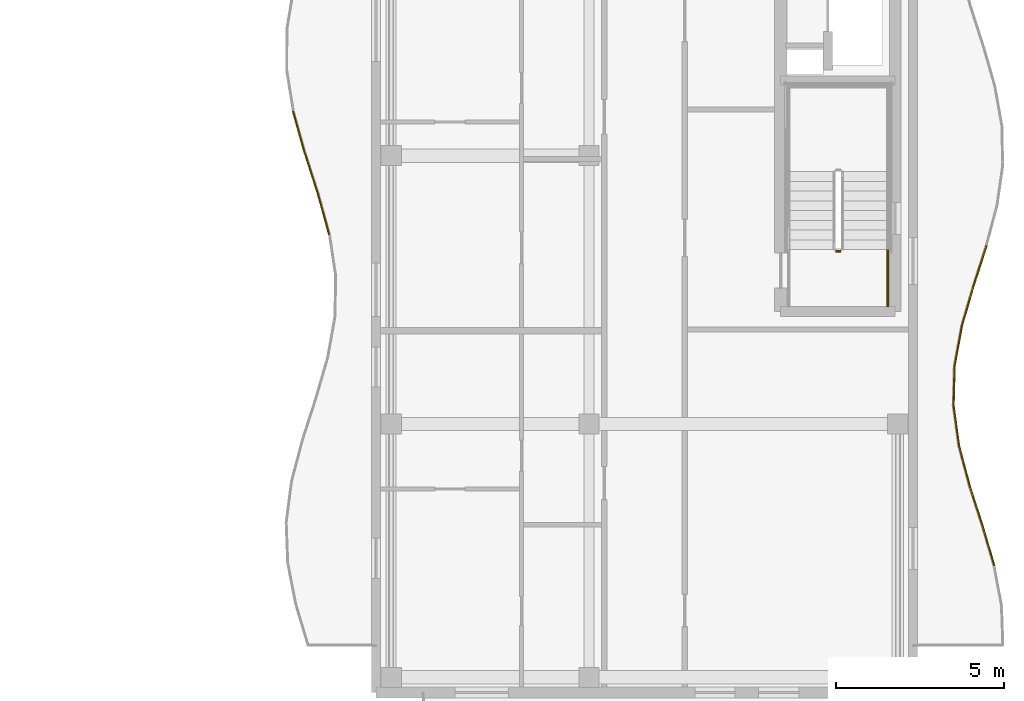
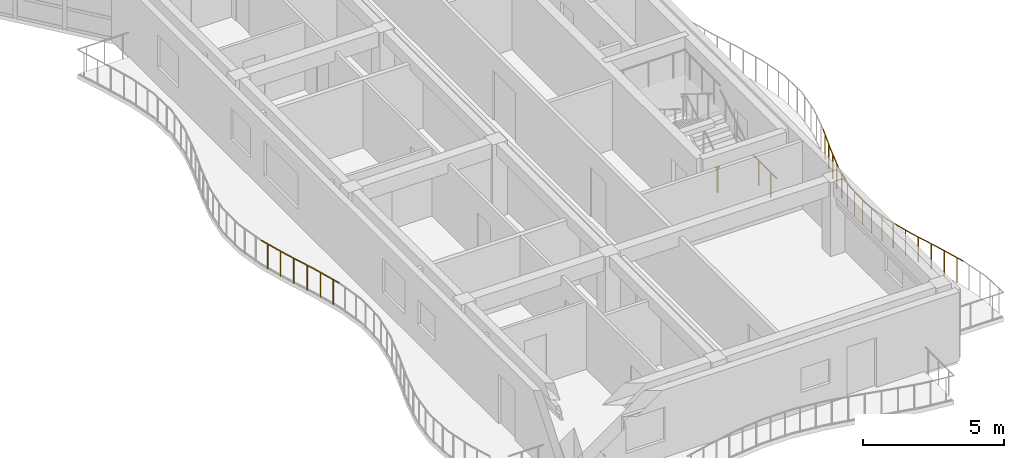
# One storey, part 67 of 72: 13 railings.
"""IFC4 building model written with IfcOpenShell, lengths in metres."""

from ifc_helpers import new_model, si_unit, direction, frame, origin, origin_2d, place, context, subcontext, project, spatial, circle, extrude, material, type_object, element, save


model = new_model("IFC4")

# Units and contexts
model_context = context("Model", 3, precision=1e-05, world=origin(), true_north=direction((0.0, 1.0)))
body_context = subcontext(model_context, "Body", "Model", "MODEL_VIEW")
ifc_project = project(units=[si_unit("LENGTHUNIT", "METRE"), si_unit("AREAUNIT", "SQUARE_METRE"), si_unit("VOLUMEUNIT", "CUBIC_METRE"), si_unit("PLANEANGLEUNIT", "RADIAN"), si_unit("MASSUNIT", "GRAM", prefix="KILO")], contexts=[model_context])

# Site, building, storey
site_placement = place(None, origin())
site = spatial("IfcSite", under=ifc_project, at=site_placement, CompositionType="ELEMENT")
building_placement = place(site_placement, origin())
building = spatial("IfcBuilding", under=site, at=building_placement, Name="Keldmere Railside Commons", CompositionType="ELEMENT")
storey_placement = place(building_placement, frame((0.0, 0.0, 16.9599609375)))
storey = spatial("IfcBuildingStorey", under=building, at=storey_placement, Name="L05", CompositionType="ELEMENT", Elevation=16.9599609375)

# Railings
ifc_material = material(Name="Steel F-24 (S235)", Category="steel")
railing_type_1 = type_object("IfcRailingType", Name="Balcony & Terrace Steel Balustrade 1100", PredefinedType="BALUSTRADE", material=ifc_material)
railing_1_placement = place(storey_placement, frame((166.59912109375, 69.64990234375, 0.0)))
element("IfcRailing", 1, at=railing_1_placement, inside=storey, type_object=railing_type_1, Name="GR-1 GRD-L05-3730", PredefinedType="BALUSTRADE", context=body_context, shape_type="SweptSolid", body=[
    extrude(circle(Radius=0.02392578125, at=origin_2d()), frame((0.0, 0.0, 1.076171875), z_axis=(-0.265165414973, 0.964202936473, 0.0), x_axis=(-0.964202936473, -0.265165414973, 0.0)), (0.0, 0.0, 1.0), 1.2705078125),
    extrude(circle(Radius=0.02099609375, at=origin_2d()), frame((-0.084228515625, 0.30615234375, 0.0)), (0.0, 0.0, 1.0), 1.048095703125),
    extrude(circle(Radius=0.02099609375, at=origin_2d()), frame((-0.252685546875, 0.9189453125, 0.0)), (0.0, 0.0, 1.0), 1.048095703125),
])
railing_2_placement = place(storey_placement, frame((166.26220703125, 70.875, 0.0)))
element("IfcRailing", 2, at=railing_2_placement, inside=storey, type_object=railing_type_1, Name="GR-1 GRD-L05-3731", PredefinedType="BALUSTRADE", context=body_context, shape_type="SweptSolid", body=[
    extrude(circle(Radius=0.02392578125, at=origin_2d()), frame((0.0, 0.0, 1.076171875), z_axis=(-0.307567840436, 0.951526154937, 0.0), x_axis=(-0.951526154937, -0.307567840436, 0.0)), (0.0, 0.0, 1.0), 1.28759765625),
    extrude(circle(Radius=0.02099609375, at=origin_2d()), frame((-0.09912109375, 0.30615234375, 0.0)), (0.0, 0.0, 1.0), 1.048095703125),
    extrude(circle(Radius=0.02099609375, at=origin_2d()), frame((-0.296875, 0.9189453125, 0.0)), (0.0, 0.0, 1.0), 1.048095703125),
])
railing_3_placement = place(storey_placement, frame((165.8662109375, 72.10009765625, 0.0)))
element("IfcRailing", 3, at=railing_3_placement, inside=storey, type_object=railing_type_1, Name="GR-1 GRD-L05-3732", PredefinedType="BALUSTRADE", context=body_context, shape_type="SweptSolid", body=[
    extrude(circle(Radius=0.02392578125, at=origin_2d()), frame((0.0, 0.0, 1.076171875), z_axis=(-0.270917819823, 0.962602480208, 0.0), x_axis=(-0.962602480208, -0.270917819823, 0.0)), (0.0, 0.0, 1.0), 1.2724609375),
    extrude(circle(Radius=0.02099609375, at=origin_2d()), frame((-0.086181640625, 0.30615234375, 0.0)), (0.0, 0.0, 1.0), 1.048095703125),
    extrude(circle(Radius=0.02099609375, at=origin_2d()), frame((-0.258544921875, 0.918701171875, 0.0)), (0.0, 0.0, 1.0), 1.048095703125),
])
railing_4_placement = place(storey_placement, frame((186.42431640625, 59.783203125, 0.0)))
element("IfcRailing", 4, at=railing_4_placement, inside=storey, type_object=railing_type_1, Name="GR-1 GRD-L05-3748", PredefinedType="BALUSTRADE", context=body_context, shape_type="SweptSolid", body=[
    extrude(circle(Radius=0.02392578125, at=origin_2d()), frame((0.0, 0.0, 1.076171875), z_axis=(-0.282730050928, 0.959199519549, 0.0), x_axis=(-0.959199519549, -0.282730050928, 0.0)), (0.0, 0.0, 1.0), 1.24267578125),
    extrude(circle(Radius=0.02099609375, at=origin_2d()), frame((-0.087890625, 0.2978515625, 0.0)), (0.0, 0.0, 1.0), 1.048095703125),
    extrude(circle(Radius=0.02099609375, at=origin_2d()), frame((-0.263427734375, 0.89404296875, 0.0)), (0.0, 0.0, 1.0), 1.048095703125),
])
railing_5_placement = place(storey_placement, frame((186.072998046875, 60.97509765625, 0.0)))
element("IfcRailing", 5, at=railing_5_placement, inside=storey, type_object=railing_type_1, Name="GR-1 GRD-L05-3749", PredefinedType="BALUSTRADE", context=body_context, shape_type="SweptSolid", body=[
    extrude(circle(Radius=0.02392578125, at=origin_2d()), frame((0.0, 0.0, 1.076171875), z_axis=(-0.306558318384, 0.951851877883, 0.0), x_axis=(-0.951851877883, -0.306558318384, 0.0)), (0.0, 0.0, 1.0), 1.251953125),
    extrude(circle(Radius=0.02099609375, at=origin_2d()), frame((-0.095947265625, 0.2978515625, 0.0)), (0.0, 0.0, 1.0), 1.048095703125),
    extrude(circle(Radius=0.02099609375, at=origin_2d()), frame((-0.287841796875, 0.893798828125, 0.0)), (0.0, 0.0, 1.0), 1.048095703125),
])
railing_6_placement = place(storey_placement, frame((185.689208984375, 62.166748046875, 0.0)))
element("IfcRailing", 6, at=railing_6_placement, inside=storey, type_object=railing_type_1, Name="GR-1 GRD-L05-3750", PredefinedType="BALUSTRADE", context=body_context, shape_type="SweptSolid", body=[
    extrude(circle(Radius=0.02392578125, at=origin_2d()), frame((0.0, 0.0, 1.076171875), z_axis=(-0.255516886834, 0.96680459274, 0.0), x_axis=(-0.96680459274, -0.255516886834, 0.0)), (0.0, 0.0, 1.0), 1.232666015625),
    extrude(circle(Radius=0.02099609375, at=origin_2d()), frame((-0.07861328125, 0.2978515625, 0.0)), (0.0, 0.0, 1.0), 1.048095703125),
    extrude(circle(Radius=0.02099609375, at=origin_2d()), frame((-0.236328125, 0.893798828125, 0.0)), (0.0, 0.0, 1.0), 1.048095703125),
])
railing_7_placement = place(storey_placement, frame((185.374267578125, 63.3583984375, 0.0)))
element("IfcRailing", 7, at=railing_7_placement, inside=storey, type_object=railing_type_1, Name="GR-1 GRD-L05-3751", PredefinedType="BALUSTRADE", context=body_context, shape_type="SweptSolid", body=[
    extrude(circle(Radius=0.02392578125, at=origin_2d()), frame((0.0, 0.0, 1.076171875), z_axis=(-0.135194731717, 0.990819047312, 0.0), x_axis=(-0.990819047312, -0.135194731717, 0.0)), (0.0, 0.0, 1.0), 1.20263671875),
    extrude(circle(Radius=0.02099609375, at=origin_2d()), frame((-0.04052734375, 0.2978515625, 0.0)), (0.0, 0.0, 1.0), 1.048095703125),
    extrude(circle(Radius=0.02099609375, at=origin_2d()), frame((-0.1220703125, 0.893798828125, 0.0)), (0.0, 0.0, 1.0), 1.048095703125),
])
railing_8_placement = place(storey_placement, frame((185.211669921875, 64.550048828125, 0.0)))
element("IfcRailing", 8, at=railing_8_placement, inside=storey, type_object=railing_type_1, Name="GR-1 GRD-L05-3752", PredefinedType="BALUSTRADE", context=body_context, shape_type="SweptSolid", body=[
    extrude(circle(Radius=0.02392578125, at=origin_2d()), frame((0.0, 0.0, 1.076171875), z_axis=(0.027033754724, 0.999634521265, 0.0), x_axis=(-0.999634521265, 0.027033754724, 0.0)), (0.0, 0.0, 1.0), 1.192138671875),
    extrude(circle(Radius=0.02099609375, at=origin_2d()), frame((0.008056640625, 0.2978515625, 0.0)), (0.0, 0.0, 1.0), 1.048095703125),
    extrude(circle(Radius=0.02099609375, at=origin_2d()), frame((0.024169921875, 0.893798828125, 0.0)), (0.0, 0.0, 1.0), 1.048095703125),
])
railing_9_placement = place(storey_placement, frame((185.243896484375, 65.74169921875, 0.0)))
element("IfcRailing", 9, at=railing_9_placement, inside=storey, type_object=railing_type_1, Name="GR-1 GRD-L05-3753", PredefinedType="BALUSTRADE", context=body_context, shape_type="SweptSolid", body=[
    extrude(circle(Radius=0.02392578125, at=origin_2d()), frame((0.0, 0.0, 1.076171875), z_axis=(0.180746993272, 0.983529625595, 0.0), x_axis=(-0.983529625595, 0.180746993272, 0.0)), (0.0, 0.0, 1.0), 1.211669921875),
    extrude(circle(Radius=0.02099609375, at=origin_2d()), frame((0.0546875, 0.2978515625, 0.0)), (0.0, 0.0, 1.0), 1.048095703125),
    extrude(circle(Radius=0.02099609375, at=origin_2d()), frame((0.164306640625, 0.893798828125, 0.0)), (0.0, 0.0, 1.0), 1.048095703125),
])
railing_10_placement = place(storey_placement, frame((185.462890625, 66.933349609375, 0.0)))
element("IfcRailing", 10, at=railing_10_placement, inside=storey, type_object=railing_type_1, Name="GR-1 GRD-L05-3754", PredefinedType="BALUSTRADE", context=body_context, shape_type="SweptSolid", body=[
    extrude(circle(Radius=0.02392578125, at=origin_2d()), frame((0.0, 0.0, 1.076171875), z_axis=(0.280249205859, 0.959927279858, 0.0), x_axis=(-0.959927279858, 0.280249205859, 0.0)), (0.0, 0.0, 1.0), 1.241455078125),
    extrude(circle(Radius=0.02099609375, at=origin_2d()), frame((0.0869140625, 0.2978515625, 0.0)), (0.0, 0.0, 1.0), 1.048095703125),
    extrude(circle(Radius=0.02099609375, at=origin_2d()), frame((0.260986328125, 0.893798828125, 0.0)), (0.0, 0.0, 1.0), 1.048095703125),
])
railing_11_placement = place(storey_placement, frame((185.810791015625, 68.125, 0.0)))
element("IfcRailing", 11, at=railing_11_placement, inside=storey, type_object=railing_type_1, Name="GR-1 GRD-L05-3755", PredefinedType="BALUSTRADE", context=body_context, shape_type="SweptSolid", body=[
    extrude(circle(Radius=0.02392578125, at=origin_2d()), frame((0.0, 0.0, 1.076171875), z_axis=(0.307088230282, 0.951681048893, 0.0), x_axis=(-0.951681048893, 0.307088230282, 0.0)), (0.0, 0.0, 1.0), 1.252197265625),
    extrude(circle(Radius=0.02099609375, at=origin_2d()), frame((0.09619140625, 0.2978515625, 0.0)), (0.0, 0.0, 1.0), 1.048095703125),
    extrude(circle(Radius=0.02099609375, at=origin_2d()), frame((0.288330078125, 0.893798828125, 0.0)), (0.0, 0.0, 1.0), 1.048095703125),
])
railing_type_2 = type_object("IfcRailingType", Name="Stair Well Steel Guardrail 1100", PredefinedType="BALUSTRADE", material=ifc_material)
railing_12_placement = place(storey_placement, frame((181.85009765625, 69.14990234375, 0.0)))
element("IfcRailing", 12, at=railing_12_placement, inside=storey, type_object=railing_type_2, Name="L05 ST-A1 stair guard 7", PredefinedType="BALUSTRADE", context=body_context, shape_type="SweptSolid", body=[
    extrude(circle(Radius=0.02392578125, at=origin_2d()), frame((0.0, 0.0, 1.076171875), z_axis=(-1.0, 0.0, 0.0), x_axis=(0.0, -1.0, 0.0)), (0.0, 0.0, 1.0), 0.150146484375),
    extrude(circle(Radius=0.02099609375, at=origin_2d()), frame((-0.0751953125, 0.0, 0.0)), (0.0, 0.0, 1.0), 1.048095703125),
])
railing_13_placement = place(storey_placement, frame((183.25, 67.5, 0.0)))
element("IfcRailing", 13, at=railing_13_placement, inside=storey, type_object=railing_type_2, Name="L05 ST-A1 stair guard 8", PredefinedType="BALUSTRADE", context=body_context, shape_type="SweptSolid", body=[
    extrude(circle(Radius=0.02392578125, at=origin_2d()), frame((0.0, 0.0, 1.076171875), z_axis=(0.0, 1.0, 0.0), x_axis=(-1.0, 0.0, 0.0)), (0.0, 0.0, 1.0), 1.699951171875),
    extrude(circle(Radius=0.02099609375, at=origin_2d()), frame((0.0, 0.425048828125, 0.0)), (0.0, 0.0, 1.0), 1.048095703125),
    extrude(circle(Radius=0.02099609375, at=origin_2d()), frame((0.0, 1.27490234375, 0.0)), (0.0, 0.0, 1.0), 1.048095703125),
])

save(model, "model.ifc")
